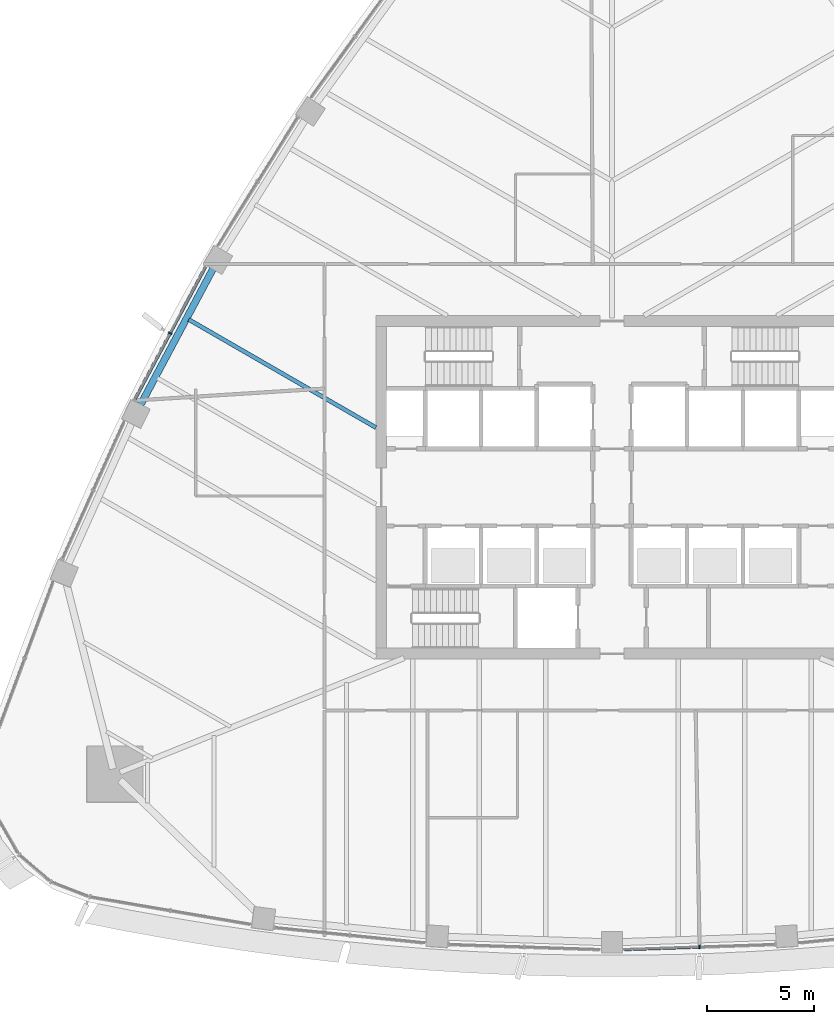
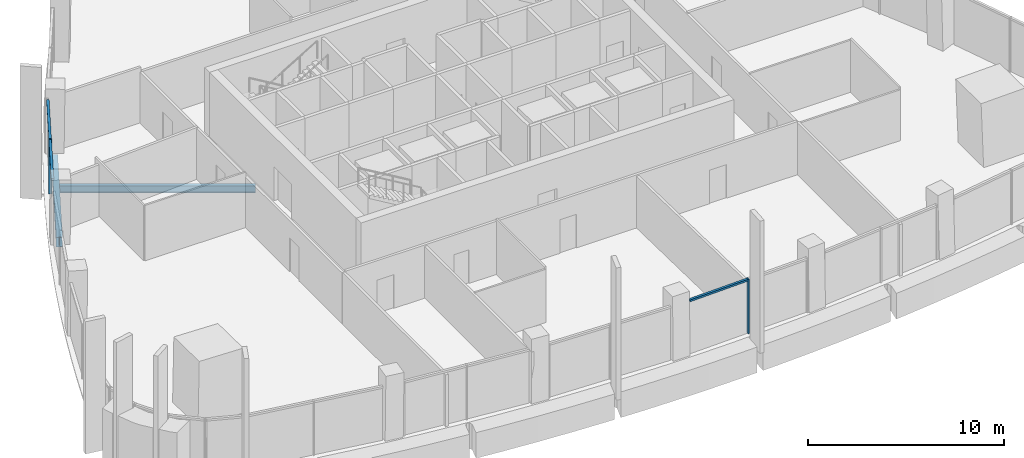
# One storey, part 3 of 19: 5 members, 2 beams, 2 elements without a shape of their own.
"""IFC4 building model written with IfcOpenShell, lengths in metres."""

from ifc_helpers import new_model, si_unit, direction, frame, origin, origin_2d, place, context, subcontext, project, spatial, rectangle, i_section, extrude, material, layer, layer_set, material_profile, profile_set, type_object, element, aggregate, save


model = new_model("IFC4")

# Units and contexts
model_context = context("Model", 3, precision=1e-05, world=origin(), true_north=direction((0.0, 1.0)))
body_context = subcontext(model_context, "Body", "Model", "MODEL_VIEW")
ifc_project = project(units=[si_unit("LENGTHUNIT", "METRE"), si_unit("AREAUNIT", "SQUARE_METRE"), si_unit("VOLUMEUNIT", "CUBIC_METRE"), si_unit("PLANEANGLEUNIT", "RADIAN"), si_unit("MASSUNIT", "GRAM", prefix="KILO")], contexts=[model_context])

# Site, building, storey
site_placement = place(None, origin())
site = spatial("IfcSite", under=ifc_project, at=site_placement, CompositionType="ELEMENT")
building_placement = place(site_placement, origin())
building = spatial("IfcBuilding", under=site, at=building_placement, Name="Sierra Prisma Convention Tower", CompositionType="ELEMENT")
storey_placement = place(building_placement, frame((0.0, 0.0, 193.800048828125)))
storey = spatial("IfcBuildingStorey", under=building, at=storey_placement, Name="L43", CompositionType="ELEMENT", Elevation=193.800048828125)

# Curtain wall, member
ifc_material_1 = material(Name="Aluminium and glass curtain wall", Category="aluminium")
ifc_layer = layer(ifc_material_1, 0.179931640625)
ifc_layer_set = layer_set([ifc_layer], Name="CW-1 Plain shaft curtain wall")
curtain_wall_type = type_object("IfcCurtainWallType", Name="CW-1 Plain shaft curtain wall", PredefinedType="NOTDEFINED", material=ifc_layer_set)
curtain_wall_1_placement = place(storey_placement, origin())
curtain_wall_1 = element("IfcCurtainWall", 1, at=curtain_wall_1_placement, inside=storey, type_object=curtain_wall_type, Name="CW-1 S4 L43", PredefinedType="NOTDEFINED")
ifc_material_2 = material(Name="Aluminium 6063-T6 bronze anodised", Category="aluminium")
ifc_material_profile_1 = material_profile(ifc_material_2, rectangle(XDim=0.179931640625, YDim=0.070068359375, at=origin_2d()), Name="ALU MULLION 70x180")
ifc_profile_set_1 = profile_set([ifc_material_profile_1], Name="Aluminium 6063-T6 bronze anodised")
member_type_1 = type_object("IfcMemberType", Name="CW mullion bronze", PredefinedType="MULLION", material=ifc_profile_set_1)
member_1_placement = place(storey_placement, frame((4.07861328125, -21.42041015625, 0.0), z_axis=(0.0, 0.0, 1.0), x_axis=(-0.033867816597, 0.999426320946, 0.0)))
member_1 = element("IfcMember", 2, at=member_1_placement, type_object=member_type_1, Name="CW-1 mullion S4.2", PredefinedType="MULLION", context=body_context, shape_type="SweptSolid", body=[
    extrude(rectangle(XDim=0.179931640625, YDim=0.070068359375, at=origin_2d()), origin(), (0.0, 0.0, 1.0), 3.39990234375),
])

curtain_wall_2_placement = place(storey_placement, origin())
curtain_wall_2 = element("IfcCurtainWall", 3, at=curtain_wall_2_placement, inside=storey, type_object=curtain_wall_type, Name="CW-1 NW4 L43", PredefinedType="NOTDEFINED")
member_2_placement = place(storey_placement, frame((-20.58984375, 7.177978515625, 0.0), z_axis=(0.0, 0.0, 1.0), x_axis=(0.882462491448, -0.470382770929, 0.0)))
member_2 = element("IfcMember", 4, at=member_2_placement, type_object=member_type_1, Name="CW-1 mullion NW4.2", PredefinedType="MULLION", context=body_context, shape_type="SweptSolid", body=[
    extrude(rectangle(XDim=0.179931640625, YDim=0.070068359375, at=origin_2d()), origin(), (0.0, 0.0, 1.0), 3.39990234375),
])

# Member
ifc_material_3 = material(Name="Aluminium 6063-T6 bronze anodised", Category="aluminium")
ifc_material_profile_2 = material_profile(ifc_material_3, rectangle(XDim=0.139892578125, YDim=0.1201171875, at=origin_2d()), Name="ALU TRANSOM 120x140")
ifc_profile_set_2 = profile_set([ifc_material_profile_2], Name="Aluminium 6063-T6 bronze anodised")
member_type_2 = type_object("IfcMemberType", Name="CW transom bronze", PredefinedType="USERDEFINED", material=ifc_profile_set_2)
member_3_placement = place(storey_placement, frame((0.569580078125, -21.539306640625, 3.33984375), z_axis=(0.999426833537, 0.033852686842, 0.0), x_axis=(-0.033852686842, 0.999426833537, 0.0)))
member_3 = element("IfcMember", 5, at=member_3_placement, type_object=member_type_2, Name="CW-1 transom S4.1", ObjectType="TRANSOM", PredefinedType="USERDEFINED", context=body_context, shape_type="SweptSolid", body=[
    extrude(rectangle(XDim=0.139892578125, YDim=0.1201171875, at=origin_2d()), origin(), (0.0, 0.0, 1.0), 3.47607421875),
])

aggregate(curtain_wall_1, [member_1, member_3])

member_4_placement = place(storey_placement, frame((-18.9384765625, 10.2763671875, 3.33984375), z_axis=(-0.47038042623, -0.88246374125, 0.0), x_axis=(0.88246374125, -0.47038042623, 0.0)))
member_4 = element("IfcMember", 6, at=member_4_placement, type_object=member_type_2, Name="CW-1 transom NW4.1", ObjectType="TRANSOM", PredefinedType="USERDEFINED", context=body_context, shape_type="SweptSolid", body=[
    extrude(rectangle(XDim=0.139892578125, YDim=0.1201171875, at=origin_2d()), origin(), (0.0, 0.0, 1.0), 3.475830078125),
])

member_5_placement = place(storey_placement, frame((-20.6064453125, 7.147216796875, 3.33984375), z_axis=(-0.47038042623, -0.88246374125, 0.0), x_axis=(0.88246374125, -0.47038042623, 0.0)))
member_5 = element("IfcMember", 7, at=member_5_placement, type_object=member_type_2, Name="CW-1 transom NW4.2", ObjectType="TRANSOM", PredefinedType="USERDEFINED", context=body_context, shape_type="SweptSolid", body=[
    extrude(rectangle(XDim=0.139892578125, YDim=0.1201171875, at=origin_2d()), origin(), (0.0, 0.0, 1.0), 3.475830078125),
])

aggregate(curtain_wall_2, [member_2, member_4, member_5])

# Beams
ifc_material_4 = material(Name="Steel ASTM A992 Gr 50", Category="steel")
ifc_material_profile_3 = material_profile(ifc_material_4, i_section(OverallWidth=0.18994140625, OverallDepth=0.45703125, WebThickness=0.009033203125, FlangeThickness=0.014404296875, at=origin_2d()), Name="W460x74")
ifc_profile_set_3 = profile_set([ifc_material_profile_3], Name="Steel ASTM A992 Gr 50")
beam_type_1 = type_object("IfcBeamType", Name="Floor joist W460x74", PredefinedType="JOIST", material=ifc_profile_set_3)
beam_1_placement = place(storey_placement, frame((-19.724853515625, 7.818115234375, -0.378662109375), z_axis=(0.866033447616, -0.499986067415, 0.0), x_axis=(0.499986067415, 0.866033447616, 0.0)))
element("IfcBeam", 8, at=beam_1_placement, inside=storey, type_object=beam_type_1, Name="Floor joist L43 NW09", PredefinedType="JOIST", context=body_context, shape_type="SweptSolid", body=[
    extrude(i_section(OverallWidth=0.18994140625, OverallDepth=0.45703125, WebThickness=0.009033203125, FlangeThickness=0.014404296875, at=origin_2d()), origin(), (0.0, 0.0, 1.0), 10.074462890625),
])
ifc_material_5 = material(Name="Steel ASTM A992 Gr 50", Category="steel")
ifc_material_profile_4 = material_profile(ifc_material_5, i_section(OverallWidth=0.324951171875, OverallDepth=0.615966796875, WebThickness=0.013916015625, FlangeThickness=0.021484375, at=origin_2d()), Name="W610x174")
ifc_profile_set_4 = profile_set([ifc_material_profile_4], Name="Steel ASTM A992 Gr 50")
beam_type_2 = type_object("IfcBeamType", Name="Spandrel beam W610x174", PredefinedType="BEAM", material=ifc_profile_set_4)
beam_2_placement = place(storey_placement, frame((-18.546142578125, 10.268798828125, -0.4580078125), z_axis=(-0.470372170033, -0.882468142008, 0.0), x_axis=(0.882468142008, -0.470372170033, 0.0)))
element("IfcBeam", 9, at=beam_2_placement, inside=storey, type_object=beam_type_2, Name="Spandrel L43-16", PredefinedType="BEAM", context=body_context, shape_type="SweptSolid", body=[
    extrude(i_section(OverallWidth=0.324951171875, OverallDepth=0.615966796875, WebThickness=0.013916015625, FlangeThickness=0.021484375, at=origin_2d()), origin(), (0.0, 0.0, 1.0), 7.39013671875),
])

save(model, "model.ifc")
